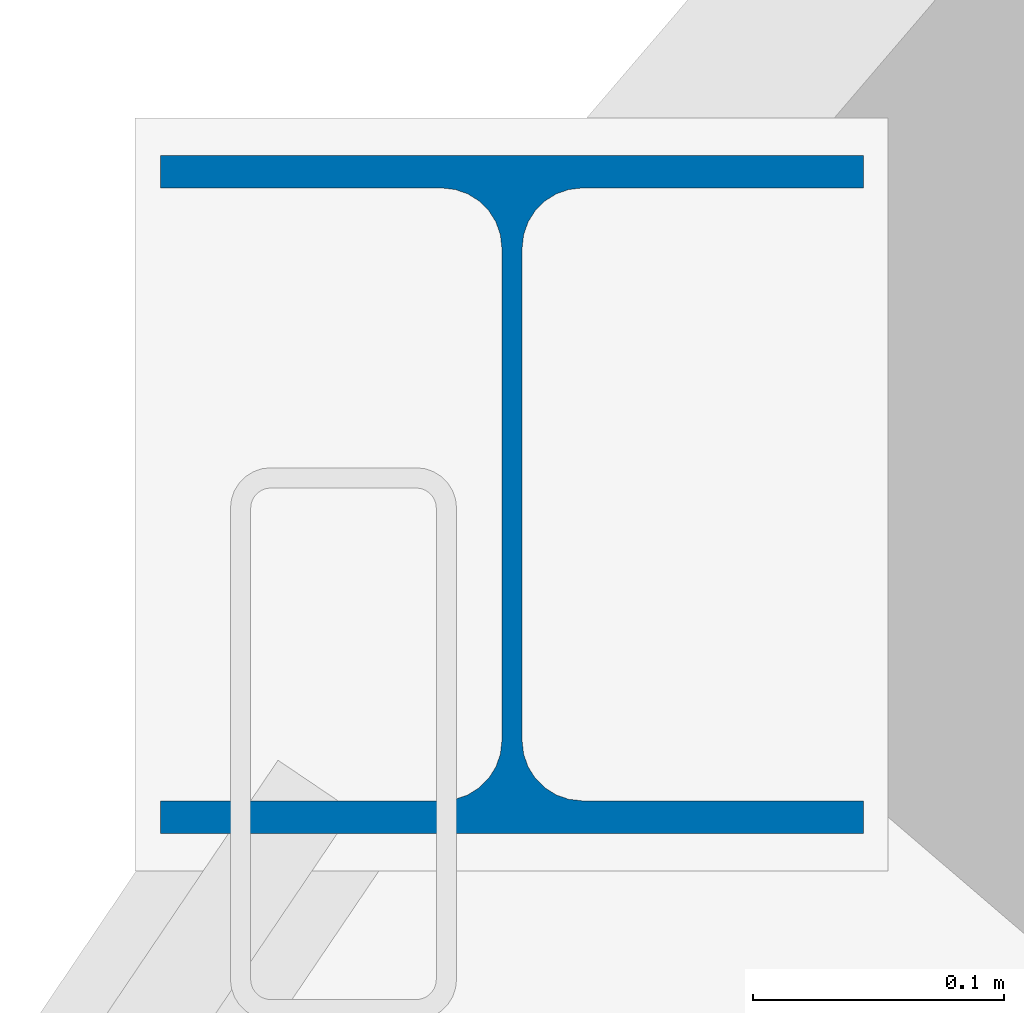
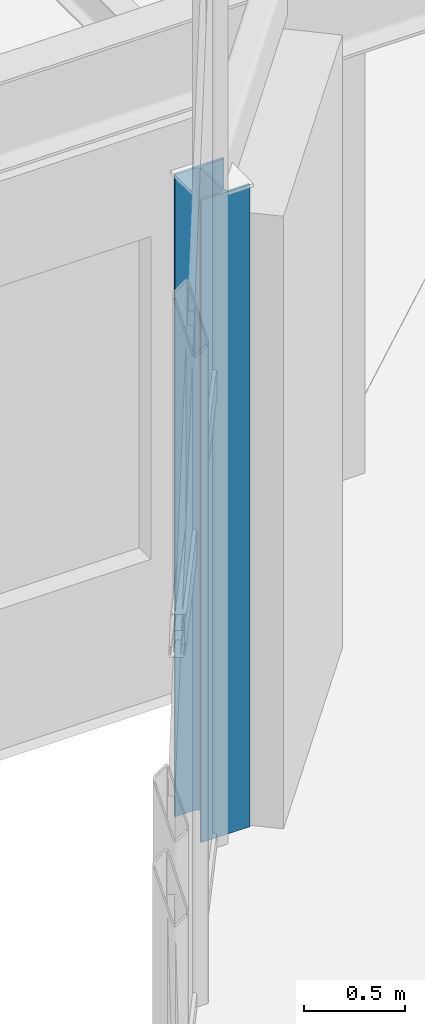
# One storey, part 2 of 109: 1 column.
"""IFC4 building model written with IfcOpenShell, lengths in metres."""

from ifc_helpers import new_model, si_unit, derived_unit, direction, frame, origin, origin_2d, place, context, subcontext, project, spatial, i_section, extrude, material, material_profile, profile_set, type_object, element, save


model = new_model("IFC4")

# Units and contexts
model_context = context("Model", 3, precision=1e-05, world=origin(), true_north=direction((0.0, 1.0)))
body_context = subcontext(model_context, "Body", "Model", "MODEL_VIEW")
ifc_project = project(units=[si_unit("LENGTHUNIT", "METRE"), si_unit("AREAUNIT", "SQUARE_METRE"), si_unit("VOLUMEUNIT", "CUBIC_METRE"), si_unit("PLANEANGLEUNIT", "RADIAN"), si_unit("MASSUNIT", "GRAM", prefix="KILO"), derived_unit("THERMALTRANSMITTANCEUNIT", [(si_unit("MASSUNIT", "GRAM", prefix="KILO"), 1), (si_unit("TIMEUNIT", "SECOND"), -3), (si_unit("THERMODYNAMICTEMPERATUREUNIT", "KELVIN"), -1)])], contexts=[model_context])

# Site, building, storey
site_placement = place(None, origin())
site = spatial("IfcSite", under=ifc_project, at=site_placement, CompositionType="ELEMENT")
building_placement = place(site_placement, origin())
building = spatial("IfcBuilding", under=site, at=building_placement, Name="Kharveza Railside Sports Centre", CompositionType="ELEMENT")
storey_placement = place(building_placement, frame((0.0, 0.0, 4.5)))
storey = spatial("IfcBuildingStorey", under=building, at=storey_placement, Name="L01", CompositionType="ELEMENT", Elevation=4.5)

# Column
ifc_material = material(Name="Steel S355J2", Category="steel")
ifc_material_profile = material_profile(ifc_material, i_section(OverallWidth=0.280029296875, OverallDepth=0.27001953125, WebThickness=0.008056640625, FlangeThickness=0.012939453125, FilletRadius=0.02392578125, at=origin_2d()), Name="HEA 280")
ifc_profile_set = profile_set([ifc_material_profile], Name="Steel S355J2")
column_type = type_object("IfcColumnType", Name="COL-S13", PredefinedType="COLUMN", material=ifc_profile_set)
column_placement = place(storey_placement, frame((19.3232421875, 63.59912109375, 0.0), z_axis=(0.0, 0.0, 1.0), x_axis=(1.0, 0.0, 0.0)))
element("IfcColumn", 1, at=column_placement, inside=storey, type_object=column_type, Name="COL-DSILL-L01-19p32-63p6", PredefinedType="COLUMN", context=body_context, shape_type="SweptSolid", body=[
    extrude(i_section(OverallWidth=0.280029296875, OverallDepth=0.27001953125, WebThickness=0.008056640625, FlangeThickness=0.012939453125, FilletRadius=0.02392578125, at=origin_2d()), origin(), (0.0, 0.0, 1.0), 3.8798828125),
])

save(model, "model.ifc")
